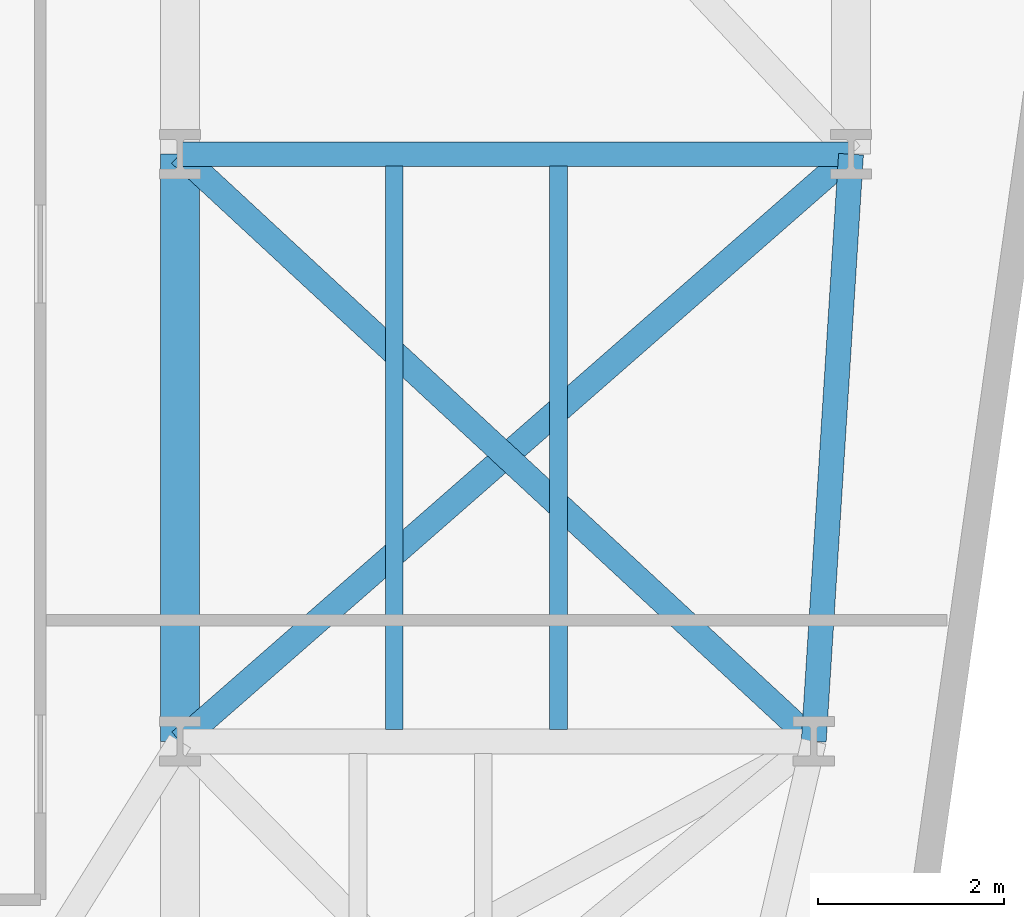
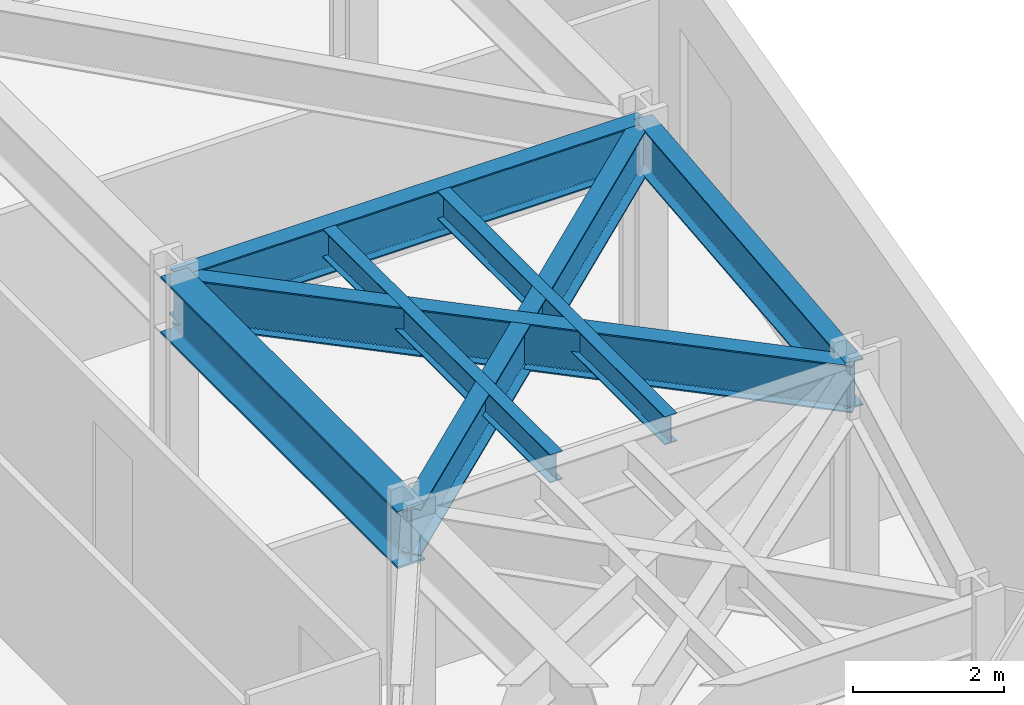
# One storey, part 14 of 25: 7 beams.
"""IFC4 building model written with IfcOpenShell, lengths in metres."""

import ifcopenshell
import ifcopenshell.guid

model = None  # the IFC model being written
_history = None  # IfcOwnerHistory: only IFC2X3 demands one
_inside = {}  # id of a spatial element -> (the spatial element, [elements in it])
_under = {}  # id of a project, library or spatial element -> (it, [spatial elements below it])
_declared = {}  # id of a project -> (the project, [libraries it declares])
_typed = {}  # id of a type object -> (the type object, [elements of that type])
_made_of = {}  # id of a material, layer set ... -> (it, [elements and type objects made of it])


def new_model(schema):
    """Start an empty IFC model of exactly this schema.

    Asked for "IFC4X3", IfcOpenShell would pick the latest addendum, in which some entities
    have other attributes; the version numbers below select the first issue.
    IFC2X3 requires an IfcOwnerHistory on every rooted entity: one is made here for all.
    """
    global model, _history
    if schema == "IFC4X3":
        model = ifcopenshell.file(schema_version=(4, 3, 0, 0))
    else:
        model = ifcopenshell.file(schema=schema)
    _inside.clear()
    _under.clear()
    _declared.clear()
    _typed.clear()
    _made_of.clear()
    _history = None
    if model.schema == "IFC2X3":
        org = make("IfcOrganization", Name="unknown")
        user = make(
            "IfcPersonAndOrganization",
            ThePerson=make("IfcPerson", FamilyName="unknown"),
            TheOrganization=org,
        )
        app = make(
            "IfcApplication",
            ApplicationDeveloper=org,
            Version="unknown",
            ApplicationFullName="unknown",
            ApplicationIdentifier="unknown",
        )
        _history = make(
            "IfcOwnerHistory",
            OwningUser=user,
            OwningApplication=app,
            ChangeAction="ADDED",
            CreationDate=0,
        )
    return model


def make(cls, **values):
    """One entity of the class cls with the attributes given. An attribute that is None is left unset."""
    return model.create_entity(
        cls, **{name: value for name, value in values.items() if value is not None}
    )


def rooted(cls, **values):
    """An entity with a GlobalId (a new one), such as an element, a storey or a relation."""
    return make(cls, GlobalId=ifcopenshell.guid.new(), OwnerHistory=_history, **values)


def si_unit(unit_type, name, prefix=None):
    """IfcSIUnit, for example si_unit("LENGTHUNIT", "METRE", prefix="MILLI")."""
    return make("IfcSIUnit", UnitType=unit_type, Prefix=prefix, Name=name)


def assignment(units):
    """IfcUnitAssignment: the units of a project."""
    return None if units is None else make("IfcUnitAssignment", Units=units)


def point(xyz):
    """IfcCartesianPoint."""
    return None if xyz is None else make("IfcCartesianPoint", Coordinates=xyz)


def direction(xyz):
    """IfcDirection."""
    return None if xyz is None else make("IfcDirection", DirectionRatios=xyz)


def frame(location, z_axis=None, x_axis=None):
    """IfcAxis2Placement3D, a coordinate frame: its origin and axes. An axis left out is left unset."""
    return make(
        "IfcAxis2Placement3D",
        Location=point(location),
        Axis=direction(z_axis),
        RefDirection=direction(x_axis),
    )


def frame_2d(location, x_axis=None):
    """IfcAxis2Placement2D, a coordinate frame in the plane: its origin and x axis."""
    return make(
        "IfcAxis2Placement2D", Location=point(location), RefDirection=direction(x_axis)
    )


def origin():
    """The frame at (0, 0, 0) with its axes left unset."""
    return frame((0.0, 0.0, 0.0))


def origin_2d():
    """The frame at (0, 0) in the plane with its x axis left unset."""
    return frame_2d((0.0, 0.0))


def place(relative_to, where):
    """IfcLocalPlacement: puts the frame where relative to a parent placement (None: the world)."""
    return make(
        "IfcLocalPlacement", PlacementRelTo=relative_to, RelativePlacement=where
    )


def context(
    kind, dimensions, precision=None, world=None, true_north=None, identifier=None
):
    """IfcGeometricRepresentationContext, for example the 3D "Model" context."""
    return make(
        "IfcGeometricRepresentationContext",
        ContextIdentifier=identifier,
        ContextType=kind,
        CoordinateSpaceDimension=dimensions,
        Precision=precision,
        WorldCoordinateSystem=world,
        TrueNorth=true_north,
    )


def subcontext(parent, identifier, kind, view, scale=None):
    """IfcGeometricRepresentationSubContext, for example "Body" below "Model"."""
    return make(
        "IfcGeometricRepresentationSubContext",
        ContextIdentifier=identifier,
        ContextType=kind,
        ParentContext=parent,
        TargetScale=scale,
        TargetView=view,
    )


def project(units=None, contexts=None):
    """IfcProject with its units and contexts."""
    return rooted(
        "IfcProject",
        Name="project",
        RepresentationContexts=contexts,
        UnitsInContext=assignment(units),
    )


def spatial(cls, under=None, at=None, **own):
    """A site, building, storey or space (cls), placed at a placement, below another one or the project."""
    s = rooted(cls, ObjectPlacement=at, **own)
    if under is not None:
        _under.setdefault(under.id(), (under, []))[1].append(s)
    return s


def profile(cls, at=None, kind="AREA", **sizes):
    """A parametric profile (cls). Its sizes go by their IFC names, for example OverallWidth=200.0."""
    return make(cls, ProfileType=kind, Position=at, **sizes)


def i_section(**sizes):
    """IfcIShapeProfileDef."""
    return profile("IfcIShapeProfileDef", **sizes)


def extrude(swept, where, along, depth):
    """IfcExtrudedAreaSolid: the profile swept, set in the frame where, extruded along a direction by depth."""
    return make(
        "IfcExtrudedAreaSolid",
        SweptArea=swept,
        Position=where,
        ExtrudedDirection=direction(along),
        Depth=depth,
    )


def shape(context_of_items, identifier, shape_type, items):
    """IfcShapeRepresentation: the items that make up one representation, for example the "Body"."""
    return make(
        "IfcShapeRepresentation",
        ContextOfItems=context_of_items,
        RepresentationIdentifier=identifier,
        RepresentationType=shape_type,
        Items=items,
    )


def material(Name=None, Category=None):
    """IfcMaterial."""
    return make("IfcMaterial", Name=Name, Category=Category)


def material_profile(
    of_material, cross_section, Name=None, Category=None, Priority=None
):
    """IfcMaterialProfile: a cross section and its material."""
    return make(
        "IfcMaterialProfile",
        Name=Name,
        Material=of_material,
        Profile=cross_section,
        Priority=Priority,
        Category=Category,
    )


def profile_set(profiles, Name=None, composite=None):
    """IfcMaterialProfileSet."""
    return make(
        "IfcMaterialProfileSet",
        Name=Name,
        MaterialProfiles=profiles,
        CompositeProfile=composite,
    )


def made_of(thing, what):
    """Note that an element or type object is made of a material, layer set ...; save() writes the relation."""
    if what is not None:
        _made_of.setdefault(what.id(), (what, []))[1].append(thing)
    return thing


def type_object(cls, material=None, **own):
    """A type object (cls), such as IfcWallType, which elements share."""
    return made_of(rooted(cls, **own), material)


def element(
    cls,
    number,
    at=None,
    inside=None,
    cuts=None,
    type_object=None,
    material=None,
    context=None,
    identifier="Body",
    shape_type=None,
    held_by="IfcProductDefinitionShape",
    body=None,
    shapes=None,
    **own,
):
    """One element of the class cls, such as IfcWall. Its Tag is "e" and its number.

    at: its placement. inside: the storey or other place that contains it. cuts: it is an
    opening in that element (IfcRelVoidsElement). A single representation is given by context,
    identifier, shape_type and body (its items); several are given by shapes. held_by: the class
    of the entity that holds the representations. save() writes the other relations.
    """
    e = rooted(cls, Tag="e%d" % number, ObjectPlacement=at, **own)
    if body is not None:
        shapes = [shape(context, identifier, shape_type, body)]
    if shapes is not None:
        e.Representation = make(held_by, Representations=shapes)
    if inside is not None:
        _inside.setdefault(inside.id(), (inside, []))[1].append(e)
    if cuts is not None:
        rooted(
            "IfcRelVoidsElement", RelatingBuildingElement=cuts, RelatedOpeningElement=e
        )
    if type_object is not None:
        _typed.setdefault(type_object.id(), (type_object, []))[1].append(e)
    return made_of(e, material)


def aggregate(whole, parts):
    """IfcRelAggregates: a whole, such as a stair, and the parts it consists of."""
    return rooted("IfcRelAggregates", RelatingObject=whole, RelatedObjects=parts)


def save(model, path):
    """Write the relations noted so far, then the file.

    IfcRelAggregates (storeys below a building ...), IfcRelContainedInSpatialStructure (elements
    in a storey), IfcRelDefinesByType, IfcRelAssociatesMaterial and IfcRelDeclares: one each for
    every whole, place, type object, material and project.
    """
    for whole, parts in _under.values():
        aggregate(whole, parts)
    for where, things in _inside.values():
        rooted(
            "IfcRelContainedInSpatialStructure",
            RelatedElements=things,
            RelatingStructure=where,
        )
    for kind, things in _typed.values():
        rooted("IfcRelDefinesByType", RelatedObjects=things, RelatingType=kind)
    for what, things in _made_of.values():
        rooted("IfcRelAssociatesMaterial", RelatedObjects=things, RelatingMaterial=what)
    for by, libraries in _declared.values():
        rooted("IfcRelDeclares", RelatingContext=by, RelatedDefinitions=libraries)
    model.write(path)


model = new_model("IFC4")

# Units and contexts
model_context = context("Model", 3, precision=1e-05, world=origin(), true_north=direction((0.0, 1.0)))
body_context = subcontext(model_context, "Body", "Model", "MODEL_VIEW")
ifc_project = project(units=[si_unit("LENGTHUNIT", "METRE"), si_unit("AREAUNIT", "SQUARE_METRE"), si_unit("VOLUMEUNIT", "CUBIC_METRE"), si_unit("PLANEANGLEUNIT", "RADIAN"), si_unit("MASSUNIT", "GRAM", prefix="KILO")], contexts=[model_context])

# Site, building, storey
site_placement = place(None, origin())
site = spatial("IfcSite", under=ifc_project, at=site_placement, CompositionType="ELEMENT")
building_placement = place(site_placement, origin())
building = spatial("IfcBuilding", under=site, at=building_placement, Name="Kravanh Interchange Tower", CompositionType="ELEMENT")
storey_placement = place(building_placement, frame((0.0, 0.0, 57.5)))
storey = spatial("IfcBuildingStorey", under=building, at=storey_placement, Name="L13", CompositionType="ELEMENT", Elevation=57.5)

# Beams
ifc_material_1 = material(Name="Structural Steel S355", Category="steel")
ifc_material_profile_1 = material_profile(ifc_material_1, i_section(OverallWidth=0.41796875, OverallDepth=0.927001953125, WebThickness=0.019287109375, FlangeThickness=0.031982421875, FilletRadius=0.028076171875, at=origin_2d()), Name="W36X231")
ifc_profile_set_1 = profile_set([ifc_material_profile_1], Name="Structural Steel S355")
beam_type_1 = type_object("IfcBeamType", Name="Floor Beam W36X231 Structural Steel S355", PredefinedType="BEAM", material=ifc_profile_set_1)
beam_1_placement = place(storey_placement, frame((56.0, 14.5, 3.276611328125), z_axis=(0.0, -1.0, 0.0), x_axis=(1.0, 0.0, 0.0)))
element("IfcBeam", 1, at=beam_1_placement, inside=storey, type_object=beam_type_1, Name="L13 Primary Floor Girder 42", PredefinedType="BEAM", context=body_context, shape_type="SweptSolid", body=[
    extrude(i_section(OverallWidth=0.41796875, OverallDepth=0.927001953125, WebThickness=0.019287109375, FlangeThickness=0.031982421875, FilletRadius=0.028076171875, at=origin_2d()), origin(), (0.0, 0.0, 1.0), 6.300048828125),
])
ifc_material_2 = material(Name="Structural Steel S355", Category="steel")
ifc_material_profile_2 = material_profile(ifc_material_2, i_section(OverallWidth=0.18994140625, OverallDepth=0.45703125, WebThickness=0.009033203125, FlangeThickness=0.014404296875, FilletRadius=0.01806640625, at=origin_2d()), Name="W18X50")
ifc_profile_set_2 = profile_set([ifc_material_profile_2], Name="Structural Steel S355")
beam_type_2 = type_object("IfcBeamType", Name="Floor Joist W18X50 Structural Steel S355", PredefinedType="JOIST", material=ifc_profile_set_2)
for number, where, z_axis, x_axis, name in (
    (2, (58.300048828125, 8.32861328125, 3.511474609375), (0.0, 1.0, 0.0), (-1.0, 0.0, 0.0), "L13 Secondary Floor Joist 11"),
    (3, (60.06005859375, 8.32861328125, 3.511474609375), (0.0, 1.0, 0.0), (-1.0, 0.0, 0.0), "L13 Secondary Floor Joist 12"),
):
    element("IfcBeam", number, at=place(storey_placement, frame(where, z_axis=z_axis, x_axis=x_axis)), inside=storey, type_object=beam_type_2, Name=name, PredefinedType="JOIST", context=body_context, shape_type="SweptSolid", body=[
        extrude(i_section(OverallWidth=0.18994140625, OverallDepth=0.45703125, WebThickness=0.009033203125, FlangeThickness=0.014404296875, FilletRadius=0.01806640625, at=origin_2d()), origin(), (0.0, 0.0, 1.0), 6.04296875),
    ])
ifc_material_3 = material(Name="Structural Steel S355", Category="steel")
ifc_material_profile_3 = material_profile(ifc_material_3, i_section(OverallWidth=0.26708984375, OverallDepth=0.761962890625, WebThickness=0.014404296875, FlangeThickness=0.021484375, FilletRadius=0.02490234375, at=origin_2d()), Name="W30X116")
ifc_profile_set_3 = profile_set([ifc_material_profile_3], Name="Structural Steel S355")
beam_type_3 = type_object("IfcBeamType", Name="Floor Spandrel W30X116 Structural Steel S355", PredefinedType="SPANDREL", material=ifc_profile_set_3)
beam_2_placement = place(storey_placement, frame((56.0, 14.5, 3.35888671875), z_axis=(1.0, 0.0, 0.0), x_axis=(0.0, 1.0, 0.0)))
element("IfcBeam", 4, at=beam_2_placement, inside=storey, type_object=beam_type_3, Name="L13 Perimeter Spandrel 43", PredefinedType="SPANDREL", context=body_context, shape_type="SweptSolid", body=[
    extrude(i_section(OverallWidth=0.26708984375, OverallDepth=0.761962890625, WebThickness=0.014404296875, FlangeThickness=0.021484375, FilletRadius=0.02490234375, at=origin_2d()), origin(), (0.0, 0.0, 1.0), 7.199951171875),
])
beam_3_placement = place(storey_placement, frame((56.0, 14.5, 3.35888671875), z_axis=(0.733561267923, -0.679623326706, 0.0), x_axis=(0.679623326706, 0.733561267923, 0.0)))
element("IfcBeam", 5, at=beam_3_placement, inside=storey, type_object=beam_type_3, Name="L13 Perimeter Spandrel 45", PredefinedType="SPANDREL", context=body_context, shape_type="SweptSolid", body=[
    extrude(i_section(OverallWidth=0.26708984375, OverallDepth=0.761962890625, WebThickness=0.014404296875, FlangeThickness=0.021484375, FilletRadius=0.02490234375, at=origin_2d()), origin(), (0.0, 0.0, 1.0), 9.27001953125),
])
beam_4_placement = place(storey_placement, frame((63.199951171875, 14.5, 3.35888671875), z_axis=(-0.063348576418, -0.99799146182, 0.0), x_axis=(0.99799146182, -0.063348576418, 0.0)))
element("IfcBeam", 6, at=beam_4_placement, inside=storey, type_object=beam_type_3, Name="L13 Perimeter Spandrel 46", PredefinedType="SPANDREL", context=body_context, shape_type="SweptSolid", body=[
    extrude(i_section(OverallWidth=0.26708984375, OverallDepth=0.761962890625, WebThickness=0.014404296875, FlangeThickness=0.021484375, FilletRadius=0.02490234375, at=origin_2d()), origin(), (0.0, 0.0, 1.0), 6.312744140625),
])
beam_5_placement = place(storey_placement, frame((63.199951171875, 14.5, 3.35888671875), z_axis=(-0.752571952274, -0.658510027752, 0.0), x_axis=(0.658510027752, -0.752571952274, 0.0)))
element("IfcBeam", 7, at=beam_5_placement, inside=storey, type_object=beam_type_3, Name="L13 Perimeter Spandrel 48", PredefinedType="SPANDREL", context=body_context, shape_type="SweptSolid", body=[
    extrude(i_section(OverallWidth=0.26708984375, OverallDepth=0.761962890625, WebThickness=0.014404296875, FlangeThickness=0.021484375, FilletRadius=0.02490234375, at=origin_2d()), origin(), (0.0, 0.0, 1.0), 9.567138671875),
])

save(model, "model.ifc")
